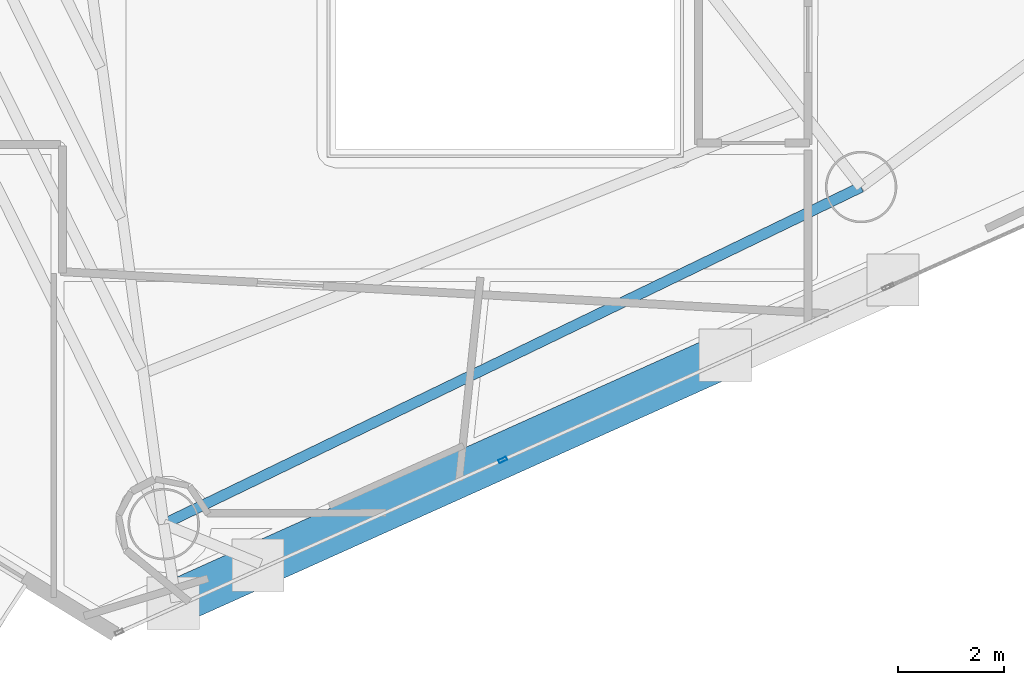
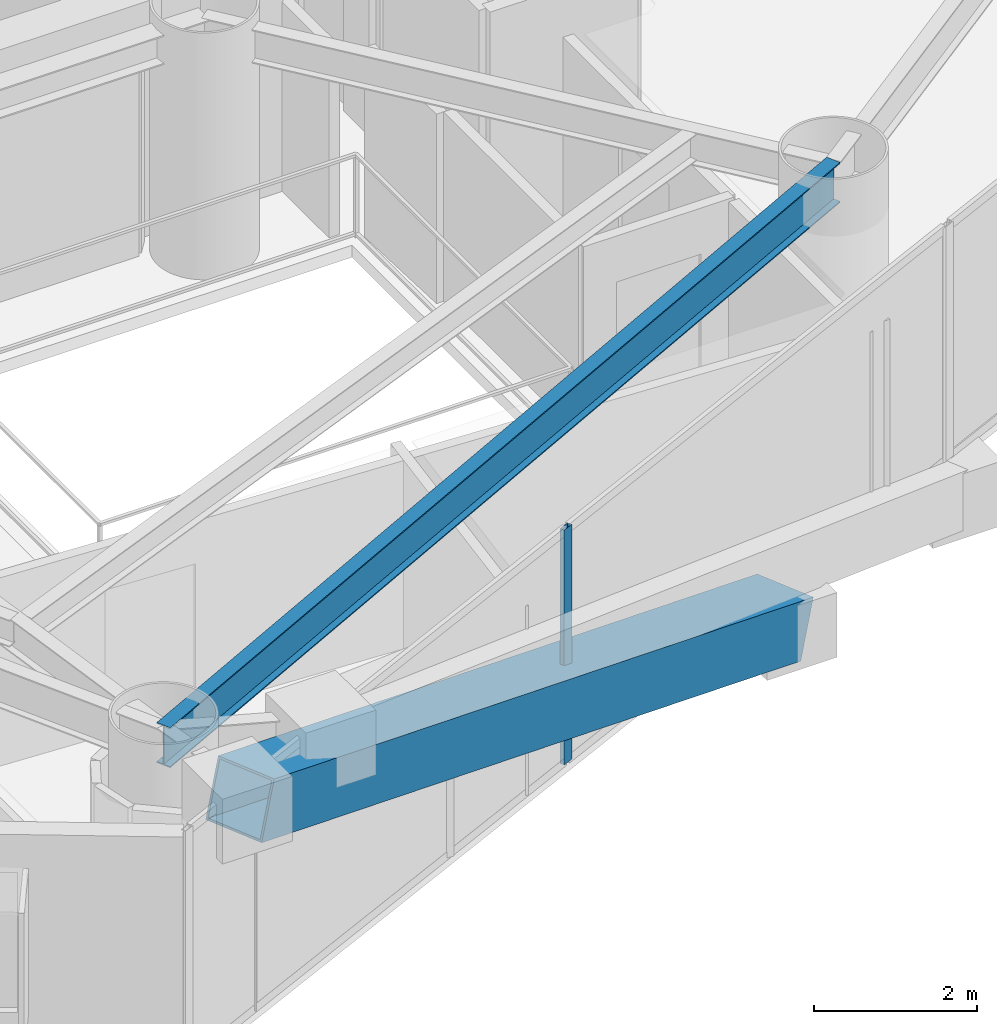
# One storey, part 3 of 23: 2 members, 1 beam, 1 element without a shape of its own.
"""IFC4 building model written with IfcOpenShell, lengths in metres."""

from ifc_helpers import new_model, si_unit, direction, frame, origin, origin_2d, place, context, subcontext, project, spatial, hollow_rectangle, i_section, extrude, material, layer, layer_set, material_profile, profile_set, type_object, element, aggregate, save


model = new_model("IFC4")

# Units and contexts
model_context = context("Model", 3, precision=1e-05, world=origin(), true_north=direction((0.0, 1.0)))
body_context = subcontext(model_context, "Body", "Model", "MODEL_VIEW")
ifc_project = project(units=[si_unit("LENGTHUNIT", "METRE"), si_unit("AREAUNIT", "SQUARE_METRE"), si_unit("VOLUMEUNIT", "CUBIC_METRE"), si_unit("PLANEANGLEUNIT", "RADIAN"), si_unit("MASSUNIT", "GRAM", prefix="KILO")], contexts=[model_context])

# Site, building, storey
site_placement = place(None, origin())
site = spatial("IfcSite", under=ifc_project, at=site_placement, CompositionType="ELEMENT")
building_placement = place(site_placement, origin())
building = spatial("IfcBuilding", under=site, at=building_placement, Name="Qianvela Tower", CompositionType="ELEMENT")
storey_placement = place(building_placement, frame((0.0, 0.0, 147.60009765625)))
storey = spatial("IfcBuildingStorey", under=building, at=storey_placement, Name="L37", CompositionType="ELEMENT", Elevation=147.60009765625)

# Beam
ifc_material_1 = material(Name="Steel Q355B", Category="steel")
ifc_material_profile_1 = material_profile(ifc_material_1, i_section(OverallWidth=0.199951171875, OverallDepth=0.60009765625, WebThickness=0.010986328125, FlangeThickness=0.01708984375, at=origin_2d()), Name="HN600x200x11x17")
ifc_profile_set_1 = profile_set([ifc_material_profile_1], Name="Steel Q355B")
beam_type = type_object("IfcBeamType", Name="BM-HN600-GIRD", PredefinedType="BEAM", material=ifc_profile_set_1)
beam_placement = place(storey_placement, frame((30.346923828125, 10.908935546875, 3.218017578125), z_axis=(0.900328583727, 0.435210801019, 0.0), x_axis=(-0.435210801019, 0.900328583727, 0.0)))
element("IfcBeam", 1, at=beam_placement, inside=storey, type_object=beam_type, Name="L37 Perimeter Ring Spandrel Girder 5", PredefinedType="BEAM", context=body_context, shape_type="SweptSolid", body=[
    extrude(i_section(OverallWidth=0.199951171875, OverallDepth=0.60009765625, WebThickness=0.010986328125, FlangeThickness=0.01708984375, at=origin_2d()), origin(), (0.0, 0.0, 1.0), 14.636962890625),
])

# Curtain wall, member
ifc_material_2 = material(Name="Anodised Architectural Aluminium and Insulated Spandrel Panel", Category="aluminium")
ifc_layer = layer(ifc_material_2, 0.179931640625)
ifc_layer_set = layer_set([ifc_layer], Name="Anodised Architectural Aluminium and Insulated Spandrel Panel")
curtain_wall_type = type_object("IfcCurtainWallType", Name="CW-BRACEBAY", PredefinedType="USERDEFINED", material=ifc_layer_set)
curtain_wall_placement = place(storey_placement, origin())
curtain_wall = element("IfcCurtainWall", 2, at=curtain_wall_placement, inside=storey, type_object=curtain_wall_type, Name="L37 CW-BRACEBAY Curtain Wall 06A", ObjectType="CURTAIN_WALL_SYSTEM", PredefinedType="USERDEFINED")
ifc_material_3 = material(Name="Anodised Architectural Aluminium 6063-T6", Category="aluminium")
ifc_material_profile_2 = material_profile(ifc_material_3, hollow_rectangle(XDim=0.06494140625, YDim=0.159912109375, WallThickness=0.0048828125, at=origin_2d()), Name="ALU-MULL-65x160")
ifc_profile_set_2 = profile_set([ifc_material_profile_2], Name="Anodised Architectural Aluminium 6063-T6")
member_type_1 = type_object("IfcMemberType", Name="CW-BRACEBAY-MULL", PredefinedType="MULLION", material=ifc_profile_set_2)
member_1_placement = place(storey_placement, frame((36.75390625, 12.122314453125, 0.0), z_axis=(0.0, 0.0, 1.0), x_axis=(-0.409812805876, 0.912169646579, 0.0)))
member_1 = element("IfcMember", 3, at=member_1_placement, type_object=member_type_1, Name="CW-9 mullion 2", PredefinedType="MULLION", context=body_context, shape_type="SweptSolid", body=[
    extrude(hollow_rectangle(XDim=0.06494140625, YDim=0.159912109375, WallThickness=0.0048828125, at=origin_2d()), origin(), (0.0, 0.0, 1.0), 3.52001953125),
])
aggregate(curtain_wall, [member_1])

# Member
ifc_material_4 = material(Name="Steel Q420GJC", Category="steel")
ifc_material_profile_3 = material_profile(ifc_material_4, hollow_rectangle(XDim=0.85009765625, YDim=0.85009765625, WallThickness=0.031982421875, at=origin_2d()), Name="MBOX-850x850x32")
ifc_profile_set_3 = profile_set([ifc_material_profile_3], Name="Steel Q420GJC")
member_type_2 = type_object("IfcMemberType", Name="MBR-MBRACE-850", PredefinedType="BRACE", material=ifc_profile_set_3)
member_2_placement = place(storey_placement, frame((40.903564453125, 14.074462890625, -0.482177734375), z_axis=(-0.866985876165, -0.389524310055, 0.310815544024), x_axis=(0.409822726951, -0.912165189247, 0.0)))
element("IfcMember", 4, at=member_2_placement, inside=storey, type_object=member_type_2, Name="L37 Tier 6 Exterior Mega-Brace F3A", PredefinedType="BRACE", context=body_context, shape_type="SweptSolid", body=[
    extrude(hollow_rectangle(XDim=0.85009765625, YDim=0.85009765625, WallThickness=0.031982421875, at=origin_2d()), origin(), (0.0, 0.0, 1.0), 11.90478515625),
])

save(model, "model.ifc")
